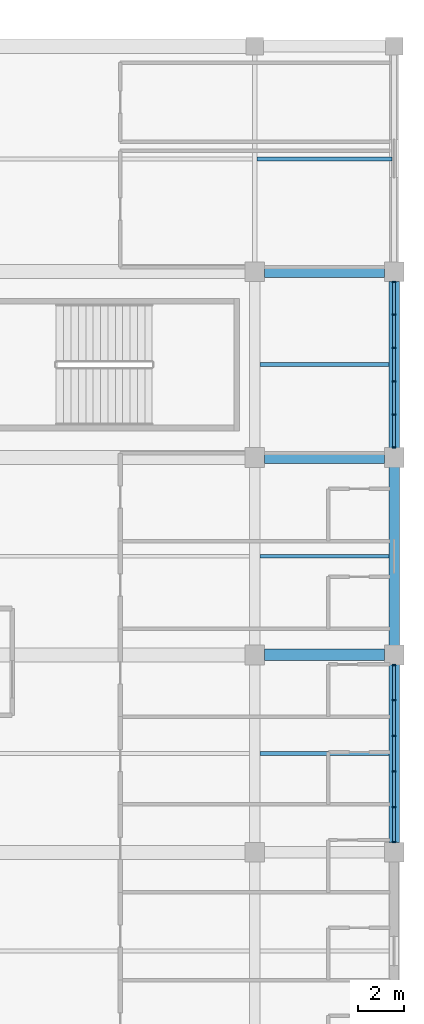
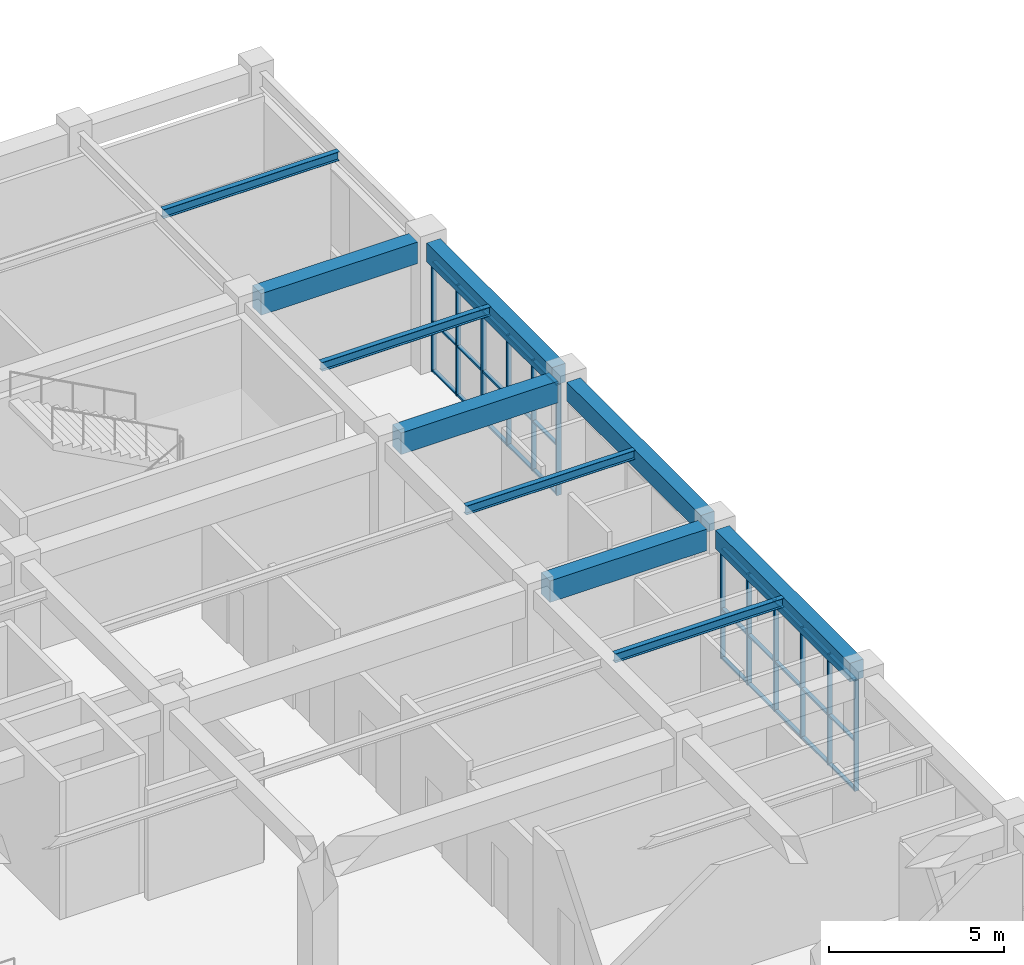
# One storey, part 71 of 122: 42 members, 10 beams, 2 elements without a shape of their own.
"""IFC4 building model written with IfcOpenShell, lengths in metres."""

from ifc_helpers import new_model, si_unit, direction, frame, origin, origin_2d, place, context, subcontext, project, spatial, rectangle, i_section, extrude, material, material_profile, profile_set, type_object, element, aggregate, save


model = new_model("IFC4")

# Units and contexts
model_context = context("Model", 3, precision=1e-05, world=origin(), true_north=direction((0.0, 1.0)))
body_context = subcontext(model_context, "Body", "Model", "MODEL_VIEW")
ifc_project = project(units=[si_unit("LENGTHUNIT", "METRE"), si_unit("AREAUNIT", "SQUARE_METRE"), si_unit("VOLUMEUNIT", "CUBIC_METRE"), si_unit("PLANEANGLEUNIT", "RADIAN"), si_unit("MASSUNIT", "GRAM", prefix="KILO")], contexts=[model_context])

# Site, building, storey
site_placement = place(None, origin())
site = spatial("IfcSite", under=ifc_project, at=site_placement, CompositionType="ELEMENT")
building_placement = place(site_placement, origin())
building = spatial("IfcBuilding", under=site, at=building_placement, Name="Cuetzalor Civic Arena", CompositionType="ELEMENT")
storey_placement = place(building_placement, frame((0.0, 0.0, 16.199951171875)))
storey = spatial("IfcBuildingStorey", under=building, at=storey_placement, Name="L03", CompositionType="ELEMENT", Elevation=16.199951171875)

# Beams
ifc_material_1 = material(Name="Concrete C40/50", Category="concrete")
ifc_material_profile_1 = material_profile(ifc_material_1, rectangle(XDim=0.5, YDim=0.75, at=origin_2d()), Name="RC 500x750")
ifc_profile_set_1 = profile_set([ifc_material_profile_1], Name="Concrete C40/50")
beam_type_1 = type_object("IfcBeamType", Name="ConcreteFrameBeam_500x750", PredefinedType="BEAM", material=ifc_profile_set_1)
for number, where, z_axis, x_axis, name in (
    (1, (76.4150390625, 8.5, 4.14501953125), (1.0, 0.0, 0.0), (0.0, 1.0, 0.0), "Frame Girder V4E-L03-X0979"),
    (2, (76.4150390625, 17.0, 4.14501953125), (1.0, 0.0, 0.0), (0.0, 1.0, 0.0), "Frame Girder V4E-L03-X0982"),
    (3, (76.4150390625, 25.0, 4.14501953125), (1.0, 0.0, 0.0), (0.0, 1.0, 0.0), "Frame Girder V4E-L03-X0985"),
):
    element("IfcBeam", number, at=place(storey_placement, frame(where, z_axis=z_axis, x_axis=x_axis)), inside=storey, type_object=beam_type_1, Name=name, PredefinedType="BEAM", context=body_context, shape_type="SweptSolid", body=[
        extrude(rectangle(XDim=0.5, YDim=0.75, at=origin_2d()), origin(), (0.0, 0.0, 1.0), 5.169921875),
    ])
ifc_material_2 = material(Name="Concrete C40/50", Category="concrete")
ifc_material_profile_2 = material_profile(ifc_material_2, rectangle(XDim=0.449951171875, YDim=0.64990234375, at=origin_2d()), Name="RC 450x650")
ifc_profile_set_2 = profile_set([ifc_material_profile_2], Name="Concrete C40/50")
beam_type_2 = type_object("IfcBeamType", Name="ConcreteTieBeam_450x650", PredefinedType="BEAM", material=ifc_profile_set_2)
for number, where, z_axis, x_axis, name in (
    (4, (82.0, 0.4150390625, 4.195068359375), (0.0, 1.0, 0.0), (-1.0, 0.0, 0.0), "Frame Girder V4E-L03-Y1025"),
    (5, (82.0, 8.9150390625, 4.195068359375), (0.0, 1.0, 0.0), (-1.0, 0.0, 0.0), "Frame Girder V4E-L03-Y1026"),
):
    element("IfcBeam", number, at=place(storey_placement, frame(where, z_axis=z_axis, x_axis=x_axis)), inside=storey, type_object=beam_type_2, Name=name, PredefinedType="BEAM", context=body_context, shape_type="SweptSolid", body=[
        extrude(rectangle(XDim=0.449951171875, YDim=0.64990234375, at=origin_2d()), origin(), (0.0, 0.0, 1.0), 7.669921875),
    ])
beam_1_placement = place(storey_placement, frame((82.0, 17.4150390625, 4.195068359375), z_axis=(0.0, 1.0, 0.0), x_axis=(-1.0, 0.0, 0.0)))
element("IfcBeam", 6, at=beam_1_placement, inside=storey, type_object=beam_type_2, Name="Frame Girder V4E-L03-Y1027", PredefinedType="BEAM", context=body_context, shape_type="SweptSolid", body=[
    extrude(rectangle(XDim=0.449951171875, YDim=0.64990234375, at=origin_2d()), origin(), (0.0, 0.0, 1.0), 7.169921875),
])

# Curtain wall, members
ifc_material_3 = material(Name="Anodised dark bronze aluminium and low-E solar glass", Category="aluminium")
curtain_wall_type_1 = type_object("IfcCurtainWallType", Name="UnitisedCW_7700x3850", PredefinedType="USERDEFINED", material=ifc_material_3)
curtain_wall_1_placement = place(storey_placement, origin())
curtain_wall_1 = element("IfcCurtainWall", 7, at=curtain_wall_1_placement, inside=storey, type_object=curtain_wall_type_1, Name="V4E Suite Viewing Curtain Wall L03-148", ObjectType="UNITISED CURTAIN WALL", PredefinedType="USERDEFINED")
ifc_material_4 = material(Name="Anodised dark bronze aluminium", Category="aluminium")
ifc_material_profile_3 = material_profile(ifc_material_4, rectangle(XDim=0.06494140625, YDim=0.14990234375, at=origin_2d()), Name="ALU MULLION 65x150")
ifc_profile_set_3 = profile_set([ifc_material_profile_3], Name="Anodised dark bronze aluminium")
member_type_1 = type_object("IfcMemberType", Name="CurtainWallMullion_60x150", PredefinedType="MULLION", material=ifc_profile_set_3)
member_1_placement = place(storey_placement, frame((82.0, 8.060546875, 0.0), z_axis=(0.0, 0.0, 1.0), x_axis=(0.0, -1.0, 0.0)))
member_1 = element("IfcMember", 8, at=member_1_placement, type_object=member_type_1, Name="CW-42 mullion 1", PredefinedType="MULLION", context=body_context, shape_type="SweptSolid", body=[
    extrude(rectangle(XDim=0.06494140625, YDim=0.14990234375, at=origin_2d()), origin(), (0.0, 0.0, 1.0), 3.860107421875),
])
member_2_placement = place(storey_placement, frame((82.0, 6.555908203125, 0.0), z_axis=(0.0, 0.0, 1.0), x_axis=(0.0, -1.0, 0.0)))
member_2 = element("IfcMember", 9, at=member_2_placement, type_object=member_type_1, Name="CW-42 mullion 2", PredefinedType="MULLION", context=body_context, shape_type="SweptSolid", body=[
    extrude(rectangle(XDim=0.06494140625, YDim=0.14990234375, at=origin_2d()), origin(), (0.0, 0.0, 1.0), 3.860107421875),
])
member_3_placement = place(storey_placement, frame((82.0, 5.0185546875, 0.0), z_axis=(0.0, 0.0, 1.0), x_axis=(0.0, -1.0, 0.0)))
member_3 = element("IfcMember", 10, at=member_3_placement, type_object=member_type_1, Name="CW-42 mullion 3", PredefinedType="MULLION", context=body_context, shape_type="SweptSolid", body=[
    extrude(rectangle(XDim=0.06494140625, YDim=0.14990234375, at=origin_2d()), origin(), (0.0, 0.0, 1.0), 3.860107421875),
])
member_4_placement = place(storey_placement, frame((82.0, 3.4814453125, 0.0), z_axis=(0.0, 0.0, 1.0), x_axis=(0.0, -1.0, 0.0)))
member_4 = element("IfcMember", 11, at=member_4_placement, type_object=member_type_1, Name="CW-42 mullion 4", PredefinedType="MULLION", context=body_context, shape_type="SweptSolid", body=[
    extrude(rectangle(XDim=0.06494140625, YDim=0.14990234375, at=origin_2d()), origin(), (0.0, 0.0, 1.0), 3.860107421875),
])
member_5_placement = place(storey_placement, frame((82.0, 1.944091796875, 0.0), z_axis=(0.0, 0.0, 1.0), x_axis=(0.0, -1.0, 0.0)))
member_5 = element("IfcMember", 12, at=member_5_placement, type_object=member_type_1, Name="CW-42 mullion 5", PredefinedType="MULLION", context=body_context, shape_type="SweptSolid", body=[
    extrude(rectangle(XDim=0.06494140625, YDim=0.14990234375, at=origin_2d()), origin(), (0.0, 0.0, 1.0), 3.860107421875),
])
member_6_placement = place(storey_placement, frame((82.0, 0.439453125, 0.0), z_axis=(0.0, 0.0, 1.0), x_axis=(0.0, -1.0, 0.0)))
member_6 = element("IfcMember", 13, at=member_6_placement, type_object=member_type_1, Name="CW-42 mullion 6", PredefinedType="MULLION", context=body_context, shape_type="SweptSolid", body=[
    extrude(rectangle(XDim=0.06494140625, YDim=0.14990234375, at=origin_2d()), origin(), (0.0, 0.0, 1.0), 3.860107421875),
])

ifc_material_5 = material(Name="Anodised dark bronze aluminium and low-E solar glass", Category="aluminium")
curtain_wall_type_2 = type_object("IfcCurtainWallType", Name="UnitisedCW_7200x3850", PredefinedType="USERDEFINED", material=ifc_material_5)
curtain_wall_2_placement = place(storey_placement, origin())
curtain_wall_2 = element("IfcCurtainWall", 14, at=curtain_wall_2_placement, inside=storey, type_object=curtain_wall_type_2, Name="V4E Suite Viewing Curtain Wall L03-149", ObjectType="UNITISED CURTAIN WALL", PredefinedType="USERDEFINED")
member_7_placement = place(storey_placement, frame((82.0, 24.560546875, 0.0), z_axis=(0.0, 0.0, 1.0), x_axis=(0.0, -1.0, 0.0)))
member_7 = element("IfcMember", 15, at=member_7_placement, type_object=member_type_1, Name="CW-41 mullion 1", PredefinedType="MULLION", context=body_context, shape_type="SweptSolid", body=[
    extrude(rectangle(XDim=0.06494140625, YDim=0.14990234375, at=origin_2d()), origin(), (0.0, 0.0, 1.0), 3.860107421875),
])
member_8_placement = place(storey_placement, frame((82.0, 23.15576171875, 0.0), z_axis=(0.0, 0.0, 1.0), x_axis=(0.0, -1.0, 0.0)))
member_8 = element("IfcMember", 16, at=member_8_placement, type_object=member_type_1, Name="CW-41 mullion 2", PredefinedType="MULLION", context=body_context, shape_type="SweptSolid", body=[
    extrude(rectangle(XDim=0.06494140625, YDim=0.14990234375, at=origin_2d()), origin(), (0.0, 0.0, 1.0), 3.860107421875),
])
member_9_placement = place(storey_placement, frame((82.0, 21.718505859375, 0.0), z_axis=(0.0, 0.0, 1.0), x_axis=(0.0, -1.0, 0.0)))
member_9 = element("IfcMember", 17, at=member_9_placement, type_object=member_type_1, Name="CW-41 mullion 3", PredefinedType="MULLION", context=body_context, shape_type="SweptSolid", body=[
    extrude(rectangle(XDim=0.06494140625, YDim=0.14990234375, at=origin_2d()), origin(), (0.0, 0.0, 1.0), 3.860107421875),
])
member_10_placement = place(storey_placement, frame((82.0, 20.281494140625, 0.0), z_axis=(0.0, 0.0, 1.0), x_axis=(0.0, -1.0, 0.0)))
member_10 = element("IfcMember", 18, at=member_10_placement, type_object=member_type_1, Name="CW-41 mullion 4", PredefinedType="MULLION", context=body_context, shape_type="SweptSolid", body=[
    extrude(rectangle(XDim=0.06494140625, YDim=0.14990234375, at=origin_2d()), origin(), (0.0, 0.0, 1.0), 3.860107421875),
])
member_11_placement = place(storey_placement, frame((82.0, 18.84423828125, 0.0), z_axis=(0.0, 0.0, 1.0), x_axis=(0.0, -1.0, 0.0)))
member_11 = element("IfcMember", 19, at=member_11_placement, type_object=member_type_1, Name="CW-41 mullion 5", PredefinedType="MULLION", context=body_context, shape_type="SweptSolid", body=[
    extrude(rectangle(XDim=0.06494140625, YDim=0.14990234375, at=origin_2d()), origin(), (0.0, 0.0, 1.0), 3.860107421875),
])
member_12_placement = place(storey_placement, frame((82.0, 17.439453125, 0.0), z_axis=(0.0, 0.0, 1.0), x_axis=(0.0, -1.0, 0.0)))
member_12 = element("IfcMember", 20, at=member_12_placement, type_object=member_type_1, Name="CW-41 mullion 6", PredefinedType="MULLION", context=body_context, shape_type="SweptSolid", body=[
    extrude(rectangle(XDim=0.06494140625, YDim=0.14990234375, at=origin_2d()), origin(), (0.0, 0.0, 1.0), 3.860107421875),
])

# Member
ifc_material_6 = material(Name="Anodised dark bronze aluminium", Category="aluminium")
ifc_material_profile_4 = material_profile(ifc_material_6, rectangle(XDim=0.1201171875, YDim=0.06494140625, at=origin_2d()), Name="ALU TRANSOM 65x120")
ifc_profile_set_4 = profile_set([ifc_material_profile_4], Name="Anodised dark bronze aluminium")
member_type_2 = type_object("IfcMemberType", Name="CurtainWallTransom_60x120", PredefinedType="USERDEFINED", material=ifc_profile_set_4)
member_13_placement = place(storey_placement, frame((82.0, 8.028076171875, 0.032470703125), z_axis=(0.0, -1.0, 0.0), x_axis=(1.0, 0.0, 0.0)))
member_13 = element("IfcMember", 21, at=member_13_placement, type_object=member_type_2, Name="CW-42 transom 1.1", ObjectType="TRANSOM", PredefinedType="USERDEFINED", context=body_context, shape_type="SweptSolid", body=[
    extrude(rectangle(XDim=0.1201171875, YDim=0.06494140625, at=origin_2d()), origin(), (0.0, 0.0, 1.0), 1.439697265625),
])

member_14_placement = place(storey_placement, frame((82.0, 8.028076171875, 1.737060546875), z_axis=(0.0, -1.0, 0.0), x_axis=(1.0, 0.0, 0.0)))
member_14 = element("IfcMember", 22, at=member_14_placement, type_object=member_type_2, Name="CW-42 transom 1.2", ObjectType="TRANSOM", PredefinedType="USERDEFINED", context=body_context, shape_type="SweptSolid", body=[
    extrude(rectangle(XDim=0.1201171875, YDim=0.06494140625, at=origin_2d()), origin(), (0.0, 0.0, 1.0), 1.439697265625),
])

member_15_placement = place(storey_placement, frame((82.0, 8.028076171875, 3.82763671875), z_axis=(0.0, -1.0, 0.0), x_axis=(1.0, 0.0, 0.0)))
member_15 = element("IfcMember", 23, at=member_15_placement, type_object=member_type_2, Name="CW-42 transom 1.3", ObjectType="TRANSOM", PredefinedType="USERDEFINED", context=body_context, shape_type="SweptSolid", body=[
    extrude(rectangle(XDim=0.1201171875, YDim=0.06494140625, at=origin_2d()), origin(), (0.0, 0.0, 1.0), 1.439697265625),
])

member_16_placement = place(storey_placement, frame((82.0, 6.523193359375, 0.032470703125), z_axis=(0.0, -1.0, 0.0), x_axis=(1.0, 0.0, 0.0)))
member_16 = element("IfcMember", 24, at=member_16_placement, type_object=member_type_2, Name="CW-42 transom 2.1", ObjectType="TRANSOM", PredefinedType="USERDEFINED", context=body_context, shape_type="SweptSolid", body=[
    extrude(rectangle(XDim=0.1201171875, YDim=0.06494140625, at=origin_2d()), origin(), (0.0, 0.0, 1.0), 1.47216796875),
])

member_17_placement = place(storey_placement, frame((82.0, 6.523193359375, 1.737060546875), z_axis=(0.0, -1.0, 0.0), x_axis=(1.0, 0.0, 0.0)))
member_17 = element("IfcMember", 25, at=member_17_placement, type_object=member_type_2, Name="CW-42 transom 2.2", ObjectType="TRANSOM", PredefinedType="USERDEFINED", context=body_context, shape_type="SweptSolid", body=[
    extrude(rectangle(XDim=0.1201171875, YDim=0.06494140625, at=origin_2d()), origin(), (0.0, 0.0, 1.0), 1.47216796875),
])

member_18_placement = place(storey_placement, frame((82.0, 6.523193359375, 3.82763671875), z_axis=(0.0, -1.0, 0.0), x_axis=(1.0, 0.0, 0.0)))
member_18 = element("IfcMember", 26, at=member_18_placement, type_object=member_type_2, Name="CW-42 transom 2.3", ObjectType="TRANSOM", PredefinedType="USERDEFINED", context=body_context, shape_type="SweptSolid", body=[
    extrude(rectangle(XDim=0.1201171875, YDim=0.06494140625, at=origin_2d()), origin(), (0.0, 0.0, 1.0), 1.47216796875),
])

member_19_placement = place(storey_placement, frame((82.0, 4.986083984375, 0.032470703125), z_axis=(0.0, -1.0, 0.0), x_axis=(1.0, 0.0, 0.0)))
member_19 = element("IfcMember", 27, at=member_19_placement, type_object=member_type_2, Name="CW-42 transom 3.1", ObjectType="TRANSOM", PredefinedType="USERDEFINED", context=body_context, shape_type="SweptSolid", body=[
    extrude(rectangle(XDim=0.1201171875, YDim=0.06494140625, at=origin_2d()), origin(), (0.0, 0.0, 1.0), 1.47216796875),
])

member_20_placement = place(storey_placement, frame((82.0, 4.986083984375, 1.737060546875), z_axis=(0.0, -1.0, 0.0), x_axis=(1.0, 0.0, 0.0)))
member_20 = element("IfcMember", 28, at=member_20_placement, type_object=member_type_2, Name="CW-42 transom 3.2", ObjectType="TRANSOM", PredefinedType="USERDEFINED", context=body_context, shape_type="SweptSolid", body=[
    extrude(rectangle(XDim=0.1201171875, YDim=0.06494140625, at=origin_2d()), origin(), (0.0, 0.0, 1.0), 1.47216796875),
])

member_21_placement = place(storey_placement, frame((82.0, 4.986083984375, 3.82763671875), z_axis=(0.0, -1.0, 0.0), x_axis=(1.0, 0.0, 0.0)))
member_21 = element("IfcMember", 29, at=member_21_placement, type_object=member_type_2, Name="CW-42 transom 3.3", ObjectType="TRANSOM", PredefinedType="USERDEFINED", context=body_context, shape_type="SweptSolid", body=[
    extrude(rectangle(XDim=0.1201171875, YDim=0.06494140625, at=origin_2d()), origin(), (0.0, 0.0, 1.0), 1.47216796875),
])

member_22_placement = place(storey_placement, frame((82.0, 3.448974609375, 0.032470703125), z_axis=(0.0, -1.0, 0.0), x_axis=(1.0, 0.0, 0.0)))
member_22 = element("IfcMember", 30, at=member_22_placement, type_object=member_type_2, Name="CW-42 transom 4.1", ObjectType="TRANSOM", PredefinedType="USERDEFINED", context=body_context, shape_type="SweptSolid", body=[
    extrude(rectangle(XDim=0.1201171875, YDim=0.06494140625, at=origin_2d()), origin(), (0.0, 0.0, 1.0), 1.47216796875),
])

member_23_placement = place(storey_placement, frame((82.0, 3.448974609375, 1.737060546875), z_axis=(0.0, -1.0, 0.0), x_axis=(1.0, 0.0, 0.0)))
member_23 = element("IfcMember", 31, at=member_23_placement, type_object=member_type_2, Name="CW-42 transom 4.2", ObjectType="TRANSOM", PredefinedType="USERDEFINED", context=body_context, shape_type="SweptSolid", body=[
    extrude(rectangle(XDim=0.1201171875, YDim=0.06494140625, at=origin_2d()), origin(), (0.0, 0.0, 1.0), 1.47216796875),
])

member_24_placement = place(storey_placement, frame((82.0, 3.448974609375, 3.82763671875), z_axis=(0.0, -1.0, 0.0), x_axis=(1.0, 0.0, 0.0)))
member_24 = element("IfcMember", 32, at=member_24_placement, type_object=member_type_2, Name="CW-42 transom 4.3", ObjectType="TRANSOM", PredefinedType="USERDEFINED", context=body_context, shape_type="SweptSolid", body=[
    extrude(rectangle(XDim=0.1201171875, YDim=0.06494140625, at=origin_2d()), origin(), (0.0, 0.0, 1.0), 1.47216796875),
])

member_25_placement = place(storey_placement, frame((82.0, 1.91162109375, 0.032470703125), z_axis=(0.0, -1.0, 0.0), x_axis=(1.0, 0.0, 0.0)))
member_25 = element("IfcMember", 33, at=member_25_placement, type_object=member_type_2, Name="CW-42 transom 5.1", ObjectType="TRANSOM", PredefinedType="USERDEFINED", context=body_context, shape_type="SweptSolid", body=[
    extrude(rectangle(XDim=0.1201171875, YDim=0.06494140625, at=origin_2d()), origin(), (0.0, 0.0, 1.0), 1.439697265625),
])

member_26_placement = place(storey_placement, frame((82.0, 1.91162109375, 1.737060546875), z_axis=(0.0, -1.0, 0.0), x_axis=(1.0, 0.0, 0.0)))
member_26 = element("IfcMember", 34, at=member_26_placement, type_object=member_type_2, Name="CW-42 transom 5.2", ObjectType="TRANSOM", PredefinedType="USERDEFINED", context=body_context, shape_type="SweptSolid", body=[
    extrude(rectangle(XDim=0.1201171875, YDim=0.06494140625, at=origin_2d()), origin(), (0.0, 0.0, 1.0), 1.439697265625),
])

member_27_placement = place(storey_placement, frame((82.0, 1.91162109375, 3.82763671875), z_axis=(0.0, -1.0, 0.0), x_axis=(1.0, 0.0, 0.0)))
member_27 = element("IfcMember", 35, at=member_27_placement, type_object=member_type_2, Name="CW-42 transom 5.3", ObjectType="TRANSOM", PredefinedType="USERDEFINED", context=body_context, shape_type="SweptSolid", body=[
    extrude(rectangle(XDim=0.1201171875, YDim=0.06494140625, at=origin_2d()), origin(), (0.0, 0.0, 1.0), 1.439697265625),
])

aggregate(curtain_wall_1, [member_1, member_2, member_3, member_4, member_5, member_6, member_13, member_14, member_15, member_16, member_17, member_18, member_19, member_20, member_21, member_22, member_23, member_24, member_25, member_26, member_27])

member_28_placement = place(storey_placement, frame((82.0, 24.528076171875, 0.032470703125), z_axis=(0.0, -1.0, 0.0), x_axis=(1.0, 0.0, 0.0)))
member_28 = element("IfcMember", 36, at=member_28_placement, type_object=member_type_2, Name="CW-41 transom 1.1", ObjectType="TRANSOM", PredefinedType="USERDEFINED", context=body_context, shape_type="SweptSolid", body=[
    extrude(rectangle(XDim=0.1201171875, YDim=0.06494140625, at=origin_2d()), origin(), (0.0, 0.0, 1.0), 1.33984375),
])

member_29_placement = place(storey_placement, frame((82.0, 24.528076171875, 1.737060546875), z_axis=(0.0, -1.0, 0.0), x_axis=(1.0, 0.0, 0.0)))
member_29 = element("IfcMember", 37, at=member_29_placement, type_object=member_type_2, Name="CW-41 transom 1.2", ObjectType="TRANSOM", PredefinedType="USERDEFINED", context=body_context, shape_type="SweptSolid", body=[
    extrude(rectangle(XDim=0.1201171875, YDim=0.06494140625, at=origin_2d()), origin(), (0.0, 0.0, 1.0), 1.33984375),
])

member_30_placement = place(storey_placement, frame((82.0, 24.528076171875, 3.82763671875), z_axis=(0.0, -1.0, 0.0), x_axis=(1.0, 0.0, 0.0)))
member_30 = element("IfcMember", 38, at=member_30_placement, type_object=member_type_2, Name="CW-41 transom 1.3", ObjectType="TRANSOM", PredefinedType="USERDEFINED", context=body_context, shape_type="SweptSolid", body=[
    extrude(rectangle(XDim=0.1201171875, YDim=0.06494140625, at=origin_2d()), origin(), (0.0, 0.0, 1.0), 1.33984375),
])

member_31_placement = place(storey_placement, frame((82.0, 23.123291015625, 0.032470703125), z_axis=(0.0, -1.0, 0.0), x_axis=(1.0, 0.0, 0.0)))
member_31 = element("IfcMember", 39, at=member_31_placement, type_object=member_type_2, Name="CW-41 transom 2.1", ObjectType="TRANSOM", PredefinedType="USERDEFINED", context=body_context, shape_type="SweptSolid", body=[
    extrude(rectangle(XDim=0.1201171875, YDim=0.06494140625, at=origin_2d()), origin(), (0.0, 0.0, 1.0), 1.3720703125),
])

member_32_placement = place(storey_placement, frame((82.0, 23.123291015625, 1.737060546875), z_axis=(0.0, -1.0, 0.0), x_axis=(1.0, 0.0, 0.0)))
member_32 = element("IfcMember", 40, at=member_32_placement, type_object=member_type_2, Name="CW-41 transom 2.2", ObjectType="TRANSOM", PredefinedType="USERDEFINED", context=body_context, shape_type="SweptSolid", body=[
    extrude(rectangle(XDim=0.1201171875, YDim=0.06494140625, at=origin_2d()), origin(), (0.0, 0.0, 1.0), 1.3720703125),
])

member_33_placement = place(storey_placement, frame((82.0, 23.123291015625, 3.82763671875), z_axis=(0.0, -1.0, 0.0), x_axis=(1.0, 0.0, 0.0)))
member_33 = element("IfcMember", 41, at=member_33_placement, type_object=member_type_2, Name="CW-41 transom 2.3", ObjectType="TRANSOM", PredefinedType="USERDEFINED", context=body_context, shape_type="SweptSolid", body=[
    extrude(rectangle(XDim=0.1201171875, YDim=0.06494140625, at=origin_2d()), origin(), (0.0, 0.0, 1.0), 1.3720703125),
])

member_34_placement = place(storey_placement, frame((82.0, 21.68603515625, 0.032470703125), z_axis=(0.0, -1.0, 0.0), x_axis=(1.0, 0.0, 0.0)))
member_34 = element("IfcMember", 42, at=member_34_placement, type_object=member_type_2, Name="CW-41 transom 3.1", ObjectType="TRANSOM", PredefinedType="USERDEFINED", context=body_context, shape_type="SweptSolid", body=[
    extrude(rectangle(XDim=0.1201171875, YDim=0.06494140625, at=origin_2d()), origin(), (0.0, 0.0, 1.0), 1.3720703125),
])

member_35_placement = place(storey_placement, frame((82.0, 21.68603515625, 1.737060546875), z_axis=(0.0, -1.0, 0.0), x_axis=(1.0, 0.0, 0.0)))
member_35 = element("IfcMember", 43, at=member_35_placement, type_object=member_type_2, Name="CW-41 transom 3.2", ObjectType="TRANSOM", PredefinedType="USERDEFINED", context=body_context, shape_type="SweptSolid", body=[
    extrude(rectangle(XDim=0.1201171875, YDim=0.06494140625, at=origin_2d()), origin(), (0.0, 0.0, 1.0), 1.3720703125),
])

member_36_placement = place(storey_placement, frame((82.0, 21.68603515625, 3.82763671875), z_axis=(0.0, -1.0, 0.0), x_axis=(1.0, 0.0, 0.0)))
member_36 = element("IfcMember", 44, at=member_36_placement, type_object=member_type_2, Name="CW-41 transom 3.3", ObjectType="TRANSOM", PredefinedType="USERDEFINED", context=body_context, shape_type="SweptSolid", body=[
    extrude(rectangle(XDim=0.1201171875, YDim=0.06494140625, at=origin_2d()), origin(), (0.0, 0.0, 1.0), 1.3720703125),
])

member_37_placement = place(storey_placement, frame((82.0, 20.248779296875, 0.032470703125), z_axis=(0.0, -1.0, 0.0), x_axis=(1.0, 0.0, 0.0)))
member_37 = element("IfcMember", 45, at=member_37_placement, type_object=member_type_2, Name="CW-41 transom 4.1", ObjectType="TRANSOM", PredefinedType="USERDEFINED", context=body_context, shape_type="SweptSolid", body=[
    extrude(rectangle(XDim=0.1201171875, YDim=0.06494140625, at=origin_2d()), origin(), (0.0, 0.0, 1.0), 1.3720703125),
])

member_38_placement = place(storey_placement, frame((82.0, 20.248779296875, 1.737060546875), z_axis=(0.0, -1.0, 0.0), x_axis=(1.0, 0.0, 0.0)))
member_38 = element("IfcMember", 46, at=member_38_placement, type_object=member_type_2, Name="CW-41 transom 4.2", ObjectType="TRANSOM", PredefinedType="USERDEFINED", context=body_context, shape_type="SweptSolid", body=[
    extrude(rectangle(XDim=0.1201171875, YDim=0.06494140625, at=origin_2d()), origin(), (0.0, 0.0, 1.0), 1.3720703125),
])

member_39_placement = place(storey_placement, frame((82.0, 20.248779296875, 3.82763671875), z_axis=(0.0, -1.0, 0.0), x_axis=(1.0, 0.0, 0.0)))
member_39 = element("IfcMember", 47, at=member_39_placement, type_object=member_type_2, Name="CW-41 transom 4.3", ObjectType="TRANSOM", PredefinedType="USERDEFINED", context=body_context, shape_type="SweptSolid", body=[
    extrude(rectangle(XDim=0.1201171875, YDim=0.06494140625, at=origin_2d()), origin(), (0.0, 0.0, 1.0), 1.3720703125),
])

member_40_placement = place(storey_placement, frame((82.0, 18.811767578125, 0.032470703125), z_axis=(0.0, -1.0, 0.0), x_axis=(1.0, 0.0, 0.0)))
member_40 = element("IfcMember", 48, at=member_40_placement, type_object=member_type_2, Name="CW-41 transom 5.1", ObjectType="TRANSOM", PredefinedType="USERDEFINED", context=body_context, shape_type="SweptSolid", body=[
    extrude(rectangle(XDim=0.1201171875, YDim=0.06494140625, at=origin_2d()), origin(), (0.0, 0.0, 1.0), 1.33984375),
])

member_41_placement = place(storey_placement, frame((82.0, 18.811767578125, 1.737060546875), z_axis=(0.0, -1.0, 0.0), x_axis=(1.0, 0.0, 0.0)))
member_41 = element("IfcMember", 49, at=member_41_placement, type_object=member_type_2, Name="CW-41 transom 5.2", ObjectType="TRANSOM", PredefinedType="USERDEFINED", context=body_context, shape_type="SweptSolid", body=[
    extrude(rectangle(XDim=0.1201171875, YDim=0.06494140625, at=origin_2d()), origin(), (0.0, 0.0, 1.0), 1.33984375),
])

member_42_placement = place(storey_placement, frame((82.0, 18.811767578125, 3.82763671875), z_axis=(0.0, -1.0, 0.0), x_axis=(1.0, 0.0, 0.0)))
member_42 = element("IfcMember", 50, at=member_42_placement, type_object=member_type_2, Name="CW-41 transom 5.3", ObjectType="TRANSOM", PredefinedType="USERDEFINED", context=body_context, shape_type="SweptSolid", body=[
    extrude(rectangle(XDim=0.1201171875, YDim=0.06494140625, at=origin_2d()), origin(), (0.0, 0.0, 1.0), 1.33984375),
])

aggregate(curtain_wall_2, [member_7, member_8, member_9, member_10, member_11, member_12, member_28, member_29, member_30, member_31, member_32, member_33, member_34, member_35, member_36, member_37, member_38, member_39, member_40, member_41, member_42])

# Beams
ifc_material_7 = material(Name="Steel S355", Category="steel")
ifc_material_profile_5 = material_profile(ifc_material_7, i_section(OverallWidth=0.166015625, OverallDepth=0.31298828125, WebThickness=0.006591796875, FlangeThickness=0.01123046875, at=origin_2d()), Name="W310x45")
ifc_profile_set_5 = profile_set([ifc_material_profile_5], Name="Steel S355")
beam_type_3 = type_object("IfcBeamType", Name="SecondaryRoofJoist_W310", PredefinedType="JOIST", material=ifc_profile_set_5)
for number, where, z_axis, x_axis, name in (
    (51, (76.217041015625, 4.25, 4.363525390625), (1.0, 0.0, 0.0), (0.0, 1.0, 0.0), "Secondary Floor Joist V4E-L03-0315"),
    (52, (76.217041015625, 12.75, 4.363525390625), (1.0, 0.0, 0.0), (0.0, 1.0, 0.0), "Secondary Floor Joist V4E-L03-0316"),
    (53, (76.217041015625, 21.0, 4.363525390625), (1.0, 0.0, 0.0), (0.0, 1.0, 0.0), "Secondary Floor Joist V4E-L03-0317"),
):
    element("IfcBeam", number, at=place(storey_placement, frame(where, z_axis=z_axis, x_axis=x_axis)), inside=storey, type_object=beam_type_3, Name=name, PredefinedType="JOIST", context=body_context, shape_type="SweptSolid", body=[
        extrude(i_section(OverallWidth=0.166015625, OverallDepth=0.31298828125, WebThickness=0.006591796875, FlangeThickness=0.01123046875, at=origin_2d()), origin(), (0.0, 0.0, 1.0), 5.56591796875),
    ])
beam_2_placement = place(storey_placement, frame((76.096435546875, 29.85009765625, 4.363525390625), z_axis=(1.0, 0.0, 0.0), x_axis=(0.0, 1.0, 0.0)))
element("IfcBeam", 54, at=beam_2_placement, inside=storey, type_object=beam_type_3, Name="Secondary Floor Joist V4E-L03-0318", PredefinedType="JOIST", context=body_context, shape_type="SweptSolid", body=[
    extrude(i_section(OverallWidth=0.166015625, OverallDepth=0.31298828125, WebThickness=0.006591796875, FlangeThickness=0.01123046875, at=origin_2d()), origin(), (0.0, 0.0, 1.0), 5.80712890625),
])

save(model, "model.ifc")
